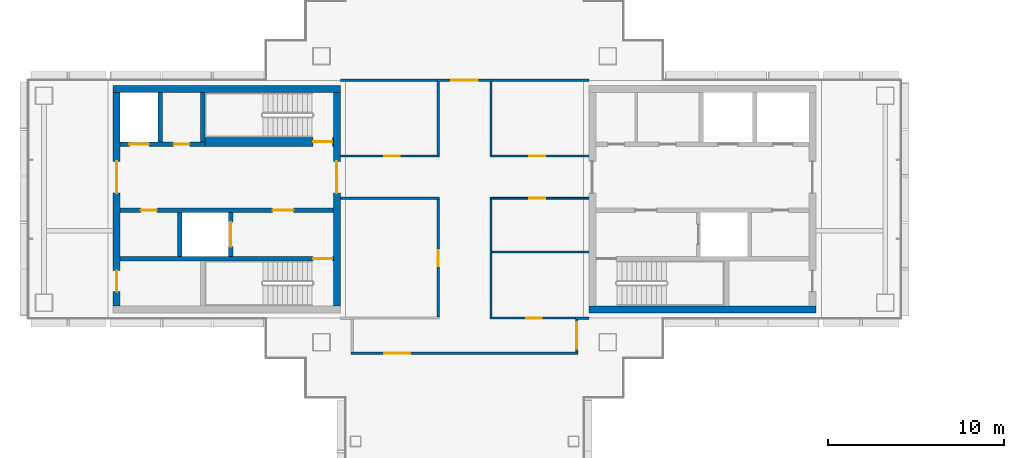
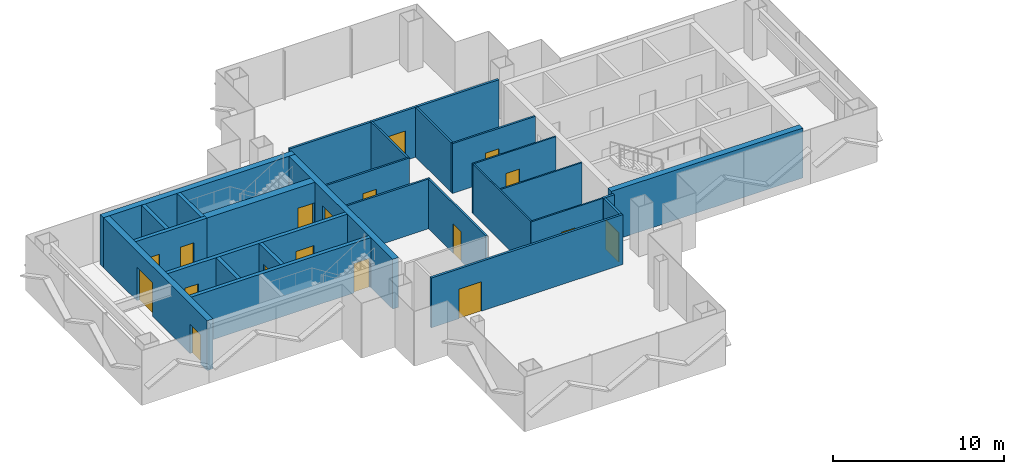
# One storey, part 9 of 17: 28 walls, 18 doors, 18 openings.
"""IFC4 building model written with IfcOpenShell, lengths in metres."""

from ifc_helpers import new_model, si_unit, direction, frame, frame_2d, origin, place, context, subcontext, project, spatial, rectangle, extrude, material, layer, layer_set, type_object, element, fill, save


model = new_model("IFC4")

# Units and contexts
model_context = context("Model", 3, precision=1e-05, world=origin(), true_north=direction((0.0, 1.0)))
body_context = subcontext(model_context, "Body", "Model", "MODEL_VIEW")
ifc_project = project(units=[si_unit("LENGTHUNIT", "METRE"), si_unit("AREAUNIT", "SQUARE_METRE"), si_unit("VOLUMEUNIT", "CUBIC_METRE"), si_unit("PLANEANGLEUNIT", "RADIAN"), si_unit("MASSUNIT", "GRAM", prefix="KILO")], contexts=[model_context])

# Site, building, storey
site_placement = place(None, origin())
site = spatial("IfcSite", under=ifc_project, at=site_placement, CompositionType="ELEMENT")
building_placement = place(site_placement, origin())
building = spatial("IfcBuilding", under=site, at=building_placement, Name="Shamsa Quay Exchange Towers", CompositionType="ELEMENT")
storey_placement = place(building_placement, frame((0.0, 0.0, 198.300048828125)))
storey = spatial("IfcBuildingStorey", under=building, at=storey_placement, Name="L47", CompositionType="ELEMENT", Elevation=198.300048828125)

# Walls
ifc_material_1 = material(Name="Concrete C60/75", Category="concrete")
ifc_layer_1 = layer(ifc_material_1, 0.39990234375)
ifc_layer_set_1 = layer_set([ifc_layer_1], Name="CORE WALL 400 C60/75")
wall_type_1 = type_object("IfcWallType", Name="CORE WALL 400 C60/75", PredefinedType="SHEAR", material=ifc_layer_set_1)
wall_1_placement = place(storey_placement, frame((-26.699951171875, -6.25, 0.0)))
element("IfcWall", 1, at=wall_1_placement, inside=storey, type_object=wall_type_1, Name="Core wall T1A-R21-PS", PredefinedType="SHEAR", context=body_context, shape_type="SweptSolid", body=[
    extrude(rectangle(XDim=12.89990234375, YDim=0.39990234375, at=frame_2d((6.449951171875, 0.0))), origin(), (0.0, 0.0, 1.0), 3.550048828125),
])
wall_2_placement = place(storey_placement, frame((-40.800048828125, 6.25, 0.0), z_axis=(0.0, 0.0, 1.0), x_axis=(-1.0, 0.0, 0.0)))
element("IfcWall", 2, at=wall_2_placement, inside=storey, type_object=wall_type_1, Name="Core wall T1B-R21-PN", PredefinedType="SHEAR", context=body_context, shape_type="SweptSolid", body=[
    extrude(rectangle(XDim=12.89990234375, YDim=0.39990234375, at=frame_2d((6.449951171875, 0.0))), origin(), (0.0, 0.0, 1.0), 3.550048828125),
])

# Wall, opening, door
wall_3_placement = place(storey_placement, frame((-41.0, -6.050048828125, 0.0), z_axis=(0.0, 0.0, 1.0), x_axis=(0.0, 1.0, 0.0)))
wall_3 = element("IfcWall", 3, at=wall_3_placement, inside=storey, type_object=wall_type_1, Name="Core wall T1B-R21-PF", PredefinedType="SHEAR", context=body_context, shape_type="SweptSolid", body=[
    extrude(rectangle(XDim=12.10009765625, YDim=0.39990234375, at=frame_2d((6.050048828125, 0.0))), origin(), (0.0, 0.0, 1.0), 3.550048828125),
])
opening_1_placement = place(wall_3_placement, frame((6.39990234375, 0.0, 0.0)))
opening_1 = element("IfcOpeningElement", 4, at=opening_1_placement, cuts=wall_3, Name="Opening T1B-R21-LBD01", PredefinedType="OPENING", context=body_context, shape_type="SweptSolid", body=[
    extrude(rectangle(XDim=1.800048828125, YDim=2.39990234375, at=frame_2d((0.89990234375, 1.199951171875))), frame((0.0, 0.2099609375, 0.0), z_axis=(0.0, -1.0, 0.0), x_axis=(1.0, 0.0, 0.0)), (0.0, 0.0, 1.0), 0.419921875),
])
ifc_material_2 = material(Name="Steel, fire rated", Category="steel")
door_type_1 = type_object("IfcDoorType", Name="LIFT LOBBY DOOR PAIR 1800", OperationType="DOUBLE_DOOR_SINGLE_SWING", PredefinedType="DOOR", material=ifc_material_2)
door_1_placement = place(opening_1_placement, origin())
door_1 = element("IfcDoor", 5, at=door_1_placement, inside=storey, type_object=door_type_1, Name="T1B-R21-LBD01", OperationType="DOUBLE_DOOR_SINGLE_SWING", OverallHeight=2.39990234375, OverallWidth=1.800048828125, PredefinedType="DOOR", context=body_context, shape_type="SweptSolid", body=[
    extrude(rectangle(XDim=1.800048828125, YDim=2.39990234375, at=frame_2d((0.89990234375, 1.199951171875))), frame((0.0, 0.02490234375, 0.0), z_axis=(0.0, -1.0, 0.0), x_axis=(1.0, 0.0, 0.0)), (0.0, 0.0, 1.0), 0.050048828125),
])
fill(opening_1, door_1)

# Wall, openings, doors
wall_4_placement = place(storey_placement, frame((-53.5, -6.050048828125, 0.0), z_axis=(0.0, 0.0, 1.0), x_axis=(0.0, 1.0, 0.0)))
wall_4 = element("IfcWall", 6, at=wall_4_placement, inside=storey, type_object=wall_type_1, Name="Core wall T1B-R21-PB", PredefinedType="SHEAR", context=body_context, shape_type="SweptSolid", body=[
    extrude(rectangle(XDim=12.10009765625, YDim=0.39990234375, at=frame_2d((6.050048828125, 0.0))), origin(), (0.0, 0.0, 1.0), 3.550048828125),
])
opening_2_placement = place(wall_4_placement, frame((0.800048828125, 0.0, 0.0)))
opening_2 = element("IfcOpeningElement", 7, at=opening_2_placement, cuts=wall_4, Name="Opening T1B-R21-RD02", PredefinedType="OPENING", context=body_context, shape_type="SweptSolid", body=[
    extrude(rectangle(XDim=1.199951171875, YDim=2.10009765625, at=frame_2d((0.60009765625, 1.050048828125))), frame((0.0, 0.2099609375, 0.0), z_axis=(0.0, -1.0, 0.0), x_axis=(1.0, 0.0, 0.0)), (0.0, 0.0, 1.0), 0.419921875),
])
opening_3_placement = place(wall_4_placement, frame((6.39990234375, 0.0, 0.0)))
opening_3 = element("IfcOpeningElement", 8, at=opening_3_placement, cuts=wall_4, Name="Opening T1B-R21-LBD03", PredefinedType="OPENING", context=body_context, shape_type="SweptSolid", body=[
    extrude(rectangle(XDim=1.800048828125, YDim=2.39990234375, at=frame_2d((0.89990234375, 1.199951171875))), frame((0.0, 0.2099609375, 0.0), z_axis=(0.0, -1.0, 0.0), x_axis=(1.0, 0.0, 0.0)), (0.0, 0.0, 1.0), 0.419921875),
])
door_2_placement = place(opening_3_placement, origin())
door_2 = element("IfcDoor", 9, at=door_2_placement, inside=storey, type_object=door_type_1, Name="T1B-R21-LBD03", OperationType="DOUBLE_DOOR_SINGLE_SWING", OverallHeight=2.39990234375, OverallWidth=1.800048828125, PredefinedType="DOOR", context=body_context, shape_type="SweptSolid", body=[
    extrude(rectangle(XDim=1.800048828125, YDim=2.39990234375, at=frame_2d((0.89990234375, 1.199951171875))), frame((0.0, 0.02490234375, 0.0), z_axis=(0.0, -1.0, 0.0), x_axis=(1.0, 0.0, 0.0)), (0.0, 0.0, 1.0), 0.050048828125),
])
fill(opening_3, door_2)
door_type_2 = type_object("IfcDoorType", Name="RISER ACCESS DOOR 1200", OperationType="SINGLE_SWING_LEFT", PredefinedType="DOOR", material=ifc_material_2)
door_3_placement = place(opening_2_placement, origin())
door_3 = element("IfcDoor", 10, at=door_3_placement, inside=storey, type_object=door_type_2, Name="T1B-R21-RD02", OperationType="SINGLE_SWING_LEFT", OverallHeight=2.10009765625, OverallWidth=1.199951171875, PredefinedType="DOOR", context=body_context, shape_type="SweptSolid", body=[
    extrude(rectangle(XDim=1.199951171875, YDim=2.10009765625, at=frame_2d((0.60009765625, 1.050048828125))), frame((0.0, 0.02490234375, 0.0), z_axis=(0.0, -1.0, 0.0), x_axis=(1.0, 0.0, 0.0)), (0.0, 0.0, 1.0), 0.050048828125),
])
fill(opening_2, door_3)

# Wall
ifc_material_3 = material(Name="Laminated fire-resisting glass in a metal frame", Category="glass")
ifc_layer_2 = layer(ifc_material_3, 0.125)
ifc_layer_set_2 = layer_set([ifc_layer_2], Name="Glazed partition 125 mm EI 60")
wall_type_2 = type_object("IfcWallType", Name="Glazed partition 125 mm EI 60", PredefinedType="PARTITIONING", material=ifc_layer_set_2)
wall_5_placement = place(storey_placement, frame((-32.25, 6.675048828125, 0.0), z_axis=(0.0, 0.0, 1.0), x_axis=(0.0, -1.0, 0.0)))
element("IfcWall", 11, at=wall_5_placement, inside=storey, type_object=wall_type_2, Name="Partition T1-R21-W01", PredefinedType="PARTITIONING", context=body_context, shape_type="SweptSolid", body=[
    extrude(rectangle(XDim=4.162353515625, YDim=0.125, at=frame_2d((2.0810546875, 0.0))), origin(), (0.0, 0.0, 1.0), 3.550048828125),
])

# Wall, opening, door
wall_6_placement = place(storey_placement, frame((-40.800048828125, 2.4501953125, 0.0)))
wall_6 = element("IfcWall", 12, at=wall_6_placement, inside=storey, type_object=wall_type_2, Name="Partition T1-R21-W02", PredefinedType="PARTITIONING", context=body_context, shape_type="SweptSolid", body=[
    extrude(rectangle(XDim=5.612548828125, YDim=0.125, at=frame_2d((2.80615234375, 0.0))), origin(), (0.0, 0.0, 1.0), 3.550048828125),
])
opening_4_placement = place(wall_6_placement, frame((2.47509765625, 0.0, 0.0)))
opening_4 = element("IfcOpeningElement", 13, at=opening_4_placement, cuts=wall_6, Name="Opening T1-R21-D01", PredefinedType="OPENING", context=body_context, shape_type="SweptSolid", body=[
    extrude(rectangle(XDim=0.89990234375, YDim=2.10009765625, at=frame_2d((0.449951171875, 1.050048828125))), frame((0.0, 0.072509765625, 0.0), z_axis=(0.0, -1.0, 0.0), x_axis=(1.0, 0.0, 0.0)), (0.0, 0.0, 1.0), 0.14501953125),
])
ifc_material_4 = material(Name="Timber door leaf in a metal frame", Category="wood")
door_type_3 = type_object("IfcDoorType", Name="Door 900x2100 FD30S", OperationType="NOTDEFINED", PredefinedType="DOOR", material=ifc_material_4)
door_4_placement = place(opening_4_placement, origin())
door_4 = element("IfcDoor", 14, at=door_4_placement, inside=storey, type_object=door_type_3, Name="Door T1-R21-D01", OperationType="SINGLE_SWING_LEFT", OverallHeight=2.10009765625, OverallWidth=0.89990234375, PredefinedType="DOOR", context=body_context, shape_type="SweptSolid", body=[
    extrude(rectangle(XDim=0.89990234375, YDim=2.10009765625, at=frame_2d((0.449951171875, 1.050048828125))), frame((0.0, 0.02490234375, 0.0), z_axis=(0.0, -1.0, 0.0), x_axis=(1.0, 0.0, 0.0)), (0.0, 0.0, 1.0), 0.050048828125),
])
fill(opening_4, door_4)

wall_7_placement = place(storey_placement, frame((-32.3125, 2.4501953125, 0.0)))
wall_7 = element("IfcWall", 15, at=wall_7_placement, inside=storey, type_object=wall_type_2, Name="Partition T1-R21-W03", PredefinedType="PARTITIONING", context=body_context, shape_type="SweptSolid", body=[
    extrude(rectangle(XDim=5.612548828125, YDim=0.125, at=frame_2d((2.80615234375, 0.0))), origin(), (0.0, 0.0, 1.0), 3.550048828125),
])
opening_5_placement = place(wall_7_placement, frame((2.237548828125, 0.0, 0.0)))
opening_5 = element("IfcOpeningElement", 16, at=opening_5_placement, cuts=wall_7, Name="Opening T1-R21-D06", PredefinedType="OPENING", context=body_context, shape_type="SweptSolid", body=[
    extrude(rectangle(XDim=0.89990234375, YDim=2.10009765625, at=frame_2d((0.449951171875, 1.050048828125))), frame((0.0, 0.072509765625, 0.0), z_axis=(0.0, -1.0, 0.0), x_axis=(1.0, 0.0, 0.0)), (0.0, 0.0, 1.0), 0.14501953125),
])
door_5_placement = place(opening_5_placement, origin())
door_5 = element("IfcDoor", 17, at=door_5_placement, inside=storey, type_object=door_type_3, Name="Door T1-R21-D06", OperationType="SINGLE_SWING_RIGHT", OverallHeight=2.10009765625, OverallWidth=0.89990234375, PredefinedType="DOOR", context=body_context, shape_type="SweptSolid", body=[
    extrude(rectangle(XDim=0.89990234375, YDim=2.10009765625, at=frame_2d((0.449951171875, 1.050048828125))), frame((0.0, 0.02490234375, 0.0), z_axis=(0.0, -1.0, 0.0), x_axis=(1.0, 0.0, 0.0)), (0.0, 0.0, 1.0), 0.050048828125),
])
fill(opening_5, door_5)

wall_8_placement = place(storey_placement, frame((-35.25, -6.6875, 0.0), z_axis=(0.0, 0.0, 1.0), x_axis=(0.0, 1.0, 0.0)))
wall_8 = element("IfcWall", 18, at=wall_8_placement, inside=storey, type_object=wall_type_2, Name="Partition T1-R21-W07", PredefinedType="PARTITIONING", context=body_context, shape_type="SweptSolid", body=[
    extrude(rectangle(XDim=6.6748046875, YDim=0.125, at=frame_2d((3.33740234375, 0.0))), origin(), (0.0, 0.0, 1.0), 3.550048828125),
])
opening_6_placement = place(wall_8_placement, frame((2.887451171875, 0.0, 0.0)))
opening_6 = element("IfcOpeningElement", 19, at=opening_6_placement, cuts=wall_8, Name="Opening T1-R21-D03", PredefinedType="OPENING", context=body_context, shape_type="SweptSolid", body=[
    extrude(rectangle(XDim=0.89990234375, YDim=2.10009765625, at=frame_2d((0.449951171875, 1.050048828125))), frame((0.0, 0.072509765625, 0.0), z_axis=(0.0, -1.0, 0.0), x_axis=(1.0, 0.0, 0.0)), (0.0, 0.0, 1.0), 0.14501953125),
])
door_6_placement = place(opening_6_placement, origin())
door_6 = element("IfcDoor", 20, at=door_6_placement, inside=storey, type_object=door_type_3, Name="Door T1-R21-D03", OperationType="SINGLE_SWING_LEFT", OverallHeight=2.10009765625, OverallWidth=0.89990234375, PredefinedType="DOOR", context=body_context, shape_type="SweptSolid", body=[
    extrude(rectangle(XDim=0.89990234375, YDim=2.10009765625, at=frame_2d((0.449951171875, 1.050048828125))), frame((0.0, 0.02490234375, 0.0), z_axis=(0.0, -1.0, 0.0), x_axis=(1.0, 0.0, 0.0)), (0.0, 0.0, 1.0), 0.050048828125),
])
fill(opening_6, door_6)

# Walls
wall_9_placement = place(storey_placement, frame((-35.25, 2.5126953125, 0.0), z_axis=(0.0, 0.0, 1.0), x_axis=(0.0, 1.0, 0.0)))
element("IfcWall", 21, at=wall_9_placement, inside=storey, type_object=wall_type_2, Name="Partition T1-R21-W08", PredefinedType="PARTITIONING", context=body_context, shape_type="SweptSolid", body=[
    extrude(rectangle(XDim=4.162353515625, YDim=0.125, at=frame_2d((2.0810546875, 0.0))), origin(), (0.0, 0.0, 1.0), 3.550048828125),
])
wall_10_placement = place(storey_placement, frame((-35.1875, 0.0498046875, 0.0), z_axis=(0.0, 0.0, 1.0), x_axis=(-1.0, 0.0, 0.0)))
element("IfcWall", 22, at=wall_10_placement, inside=storey, type_object=wall_type_2, Name="Partition T1-R21-W10", PredefinedType="PARTITIONING", context=body_context, shape_type="SweptSolid", body=[
    extrude(rectangle(XDim=5.612548828125, YDim=0.125, at=frame_2d((2.80615234375, 0.0))), origin(), (0.0, 0.0, 1.0), 3.550048828125),
])
ifc_material_5 = material(Name="Gypsum board partition on metal studs")
ifc_layer_3 = layer(ifc_material_5, 0.10009765625)
ifc_layer_set_3 = layer_set([ifc_layer_3], Name="Partition 100 mm NOT RATED")
wall_type_3 = type_object("IfcWallType", Name="Partition 100 mm NOT RATED", PredefinedType="PARTITIONING", material=ifc_layer_set_3)
wall_11_placement = place(storey_placement, frame((-32.25, -0.000244140625, 0.0), z_axis=(0.0, 0.0, 1.0), x_axis=(0.0, -1.0, 0.0)))
element("IfcWall", 23, at=wall_11_placement, inside=storey, type_object=wall_type_3, Name="Partition T1-R21-W04", PredefinedType="PARTITIONING", context=body_context, shape_type="SweptSolid", body=[
    extrude(rectangle(XDim=6.69970703125, YDim=0.10009765625, at=frame_2d((3.349853515625, 0.0))), origin(), (0.0, 0.0, 1.0), 3.550048828125),
])

# Wall, opening, door
wall_12_placement = place(storey_placement, frame((-32.300048828125, -6.75, 0.0)))
wall_12 = element("IfcWall", 24, at=wall_12_placement, inside=storey, type_object=wall_type_3, Name="Partition T1-R21-W05", PredefinedType="PARTITIONING", context=body_context, shape_type="SweptSolid", body=[
    extrude(rectangle(XDim=5.0, YDim=0.10009765625, at=frame_2d((2.5, 0.0))), origin(), (0.0, 0.0, 1.0), 3.550048828125),
])
opening_7_placement = place(wall_12_placement, frame((2.03759765625, 0.0, 0.0)))
opening_7 = element("IfcOpeningElement", 25, at=opening_7_placement, cuts=wall_12, Name="Opening T1-R21-D05", PredefinedType="OPENING", context=body_context, shape_type="SweptSolid", body=[
    extrude(rectangle(XDim=0.89990234375, YDim=2.10009765625, at=frame_2d((0.449951171875, 1.050048828125))), frame((0.0, 0.06005859375, 0.0), z_axis=(0.0, -1.0, 0.0), x_axis=(1.0, 0.0, 0.0)), (0.0, 0.0, 1.0), 0.1201171875),
])
door_type_4 = type_object("IfcDoorType", Name="Door 900x2100 NOT RATED", OperationType="NOTDEFINED", PredefinedType="DOOR", material=ifc_material_4)
door_7_placement = place(opening_7_placement, origin())
door_7 = element("IfcDoor", 26, at=door_7_placement, inside=storey, type_object=door_type_4, Name="Door T1-R21-D05", OperationType="SINGLE_SWING_LEFT", OverallHeight=2.10009765625, OverallWidth=0.89990234375, PredefinedType="DOOR", context=body_context, shape_type="SweptSolid", body=[
    extrude(rectangle(XDim=0.89990234375, YDim=2.10009765625, at=frame_2d((0.449951171875, 1.050048828125))), frame((0.0, 0.02490234375, 0.0), z_axis=(0.0, -1.0, 0.0), x_axis=(1.0, 0.0, 0.0)), (0.0, 0.0, 1.0), 0.050048828125),
])
fill(opening_7, door_7)

wall_13_placement = place(storey_placement, frame((-26.699951171875, 0.0498046875, 0.0), z_axis=(0.0, 0.0, 1.0), x_axis=(-1.0, 0.0, 0.0)))
wall_13 = element("IfcWall", 27, at=wall_13_placement, inside=storey, type_object=wall_type_3, Name="Partition T1-R21-W06", PredefinedType="PARTITIONING", context=body_context, shape_type="SweptSolid", body=[
    extrude(rectangle(XDim=5.60009765625, YDim=0.10009765625, at=frame_2d((2.800048828125, 0.0))), origin(), (0.0, 0.0, 1.0), 3.550048828125),
])
opening_8_placement = place(wall_13_placement, frame((2.47509765625, 0.0, 0.0)))
opening_8 = element("IfcOpeningElement", 28, at=opening_8_placement, cuts=wall_13, Name="Opening T1-R21-D08", PredefinedType="OPENING", context=body_context, shape_type="SweptSolid", body=[
    extrude(rectangle(XDim=0.89990234375, YDim=2.10009765625, at=frame_2d((0.449951171875, 1.050048828125))), frame((0.0, 0.06005859375, 0.0), z_axis=(0.0, -1.0, 0.0), x_axis=(1.0, 0.0, 0.0)), (0.0, 0.0, 1.0), 0.1201171875),
])
door_8_placement = place(opening_8_placement, origin())
door_8 = element("IfcDoor", 29, at=door_8_placement, inside=storey, type_object=door_type_4, Name="Door T1-R21-D08", OperationType="SINGLE_SWING_LEFT", OverallHeight=2.10009765625, OverallWidth=0.89990234375, PredefinedType="DOOR", context=body_context, shape_type="SweptSolid", body=[
    extrude(rectangle(XDim=0.89990234375, YDim=2.10009765625, at=frame_2d((0.449951171875, 1.050048828125))), frame((0.0, 0.02490234375, 0.0), z_axis=(0.0, -1.0, 0.0), x_axis=(1.0, 0.0, 0.0)), (0.0, 0.0, 1.0), 0.050048828125),
])
fill(opening_8, door_8)

# Wall
wall_14_placement = place(storey_placement, frame((-26.699951171875, -3.0, 0.0), z_axis=(0.0, 0.0, 1.0), x_axis=(-1.0, 0.0, 0.0)))
element("IfcWall", 30, at=wall_14_placement, inside=storey, type_object=wall_type_3, Name="Partition T1-R21-W17", PredefinedType="PARTITIONING", context=body_context, shape_type="SweptSolid", body=[
    extrude(rectangle(XDim=5.5, YDim=0.10009765625, at=frame_2d((2.75, 0.0))), origin(), (0.0, 0.0, 1.0), 3.550048828125),
])

# Wall, opening, door
ifc_layer_4 = layer(ifc_material_5, 0.14990234375)
ifc_layer_set_4 = layer_set([ifc_layer_4], Name="Partition 150 mm EI 60")
wall_type_4 = type_object("IfcWallType", Name="Partition 150 mm EI 60", PredefinedType="PARTITIONING", material=ifc_layer_set_4)
wall_15_placement = place(storey_placement, frame((-35.3125, 6.75, 0.0)))
wall_15 = element("IfcWall", 31, at=wall_15_placement, inside=storey, type_object=wall_type_4, Name="Partition T1-R21-W11", PredefinedType="PARTITIONING", context=body_context, shape_type="SweptSolid", body=[
    extrude(rectangle(XDim=3.125, YDim=0.14990234375, at=frame_2d((1.5625, 0.0))), origin(), (0.0, 0.0, 1.0), 3.550048828125),
])
opening_9_placement = place(wall_15_placement, frame((0.8125, 0.0, 0.0)))
opening_9 = element("IfcOpeningElement", 32, at=opening_9_placement, cuts=wall_15, Name="Opening T1-R21-D04", PredefinedType="OPENING", context=body_context, shape_type="SweptSolid", body=[
    extrude(rectangle(XDim=1.5, YDim=2.10009765625, at=frame_2d((0.75, 1.050048828125))), frame((0.0, 0.0849609375, 0.0), z_axis=(0.0, -1.0, 0.0), x_axis=(1.0, 0.0, 0.0)), (0.0, 0.0, 1.0), 0.169921875),
])
door_type_5 = type_object("IfcDoorType", Name="Door 1500x2100 FD30S pair", OperationType="NOTDEFINED", PredefinedType="DOOR", material=ifc_material_4)
door_9_placement = place(opening_9_placement, origin())
door_9 = element("IfcDoor", 33, at=door_9_placement, inside=storey, type_object=door_type_5, Name="Door T1-R21-D04", OperationType="DOUBLE_DOOR_SINGLE_SWING", OverallHeight=2.10009765625, OverallWidth=1.5, PredefinedType="DOOR", context=body_context, shape_type="SweptSolid", body=[
    extrude(rectangle(XDim=1.5, YDim=2.10009765625, at=frame_2d((0.75, 1.050048828125))), frame((0.0, 0.02490234375, 0.0), z_axis=(0.0, -1.0, 0.0), x_axis=(1.0, 0.0, 0.0)), (0.0, 0.0, 1.0), 0.050048828125),
])
fill(opening_9, door_9)

wall_16_placement = place(storey_placement, frame((-27.375, -8.675048828125, 0.0), z_axis=(0.0, 0.0, 1.0), x_axis=(0.0, 1.0, 0.0)))
wall_16 = element("IfcWall", 34, at=wall_16_placement, inside=storey, type_object=wall_type_4, Name="Partition T1-R21-W12", PredefinedType="PARTITIONING", context=body_context, shape_type="SweptSolid", body=[
    extrude(rectangle(XDim=1.85009765625, YDim=0.14990234375, at=frame_2d((0.925048828125, 0.0))), origin(), (0.0, 0.0, 1.0), 3.550048828125),
])
opening_10_placement = place(wall_16_placement, frame((0.175048828125, 0.0, 0.0)))
opening_10 = element("IfcOpeningElement", 35, at=opening_10_placement, cuts=wall_16, Name="Opening T1-R21-D07", PredefinedType="OPENING", context=body_context, shape_type="SweptSolid", body=[
    extrude(rectangle(XDim=1.5, YDim=2.10009765625, at=frame_2d((0.75, 1.050048828125))), frame((0.0, 0.0849609375, 0.0), z_axis=(0.0, -1.0, 0.0), x_axis=(1.0, 0.0, 0.0)), (0.0, 0.0, 1.0), 0.169921875),
])
door_10_placement = place(opening_10_placement, origin())
door_10 = element("IfcDoor", 36, at=door_10_placement, inside=storey, type_object=door_type_5, Name="Door T1-R21-D07", OperationType="DOUBLE_DOOR_SINGLE_SWING", OverallHeight=2.10009765625, OverallWidth=1.5, PredefinedType="DOOR", context=body_context, shape_type="SweptSolid", body=[
    extrude(rectangle(XDim=1.5, YDim=2.10009765625, at=frame_2d((0.75, 1.050048828125))), frame((0.0, 0.02490234375, 0.0), z_axis=(0.0, -1.0, 0.0), x_axis=(1.0, 0.0, 0.0)), (0.0, 0.0, 1.0), 0.050048828125),
])
fill(opening_10, door_10)

wall_17_placement = place(storey_placement, frame((-40.199951171875, -8.75, 0.0)))
wall_17 = element("IfcWall", 37, at=wall_17_placement, inside=storey, type_object=wall_type_4, Name="Partition T1-R21-W13", PredefinedType="PARTITIONING", context=body_context, shape_type="SweptSolid", body=[
    extrude(rectangle(XDim=12.89990234375, YDim=0.14990234375, at=frame_2d((6.449951171875, 0.0))), origin(), (0.0, 0.0, 1.0), 3.550048828125),
])
opening_11_placement = place(wall_17_placement, frame((1.875, 0.0, 0.0)))
opening_11 = element("IfcOpeningElement", 38, at=opening_11_placement, cuts=wall_17, Name="Opening T1-R21-D02", PredefinedType="OPENING", context=body_context, shape_type="SweptSolid", body=[
    extrude(rectangle(XDim=1.5, YDim=2.10009765625, at=frame_2d((0.75, 1.050048828125))), frame((0.0, 0.0849609375, 0.0), z_axis=(0.0, -1.0, 0.0), x_axis=(1.0, 0.0, 0.0)), (0.0, 0.0, 1.0), 0.169921875),
])
door_11_placement = place(opening_11_placement, origin())
door_11 = element("IfcDoor", 39, at=door_11_placement, inside=storey, type_object=door_type_5, Name="Door T1-R21-D02", OperationType="DOUBLE_DOOR_SINGLE_SWING", OverallHeight=2.10009765625, OverallWidth=1.5, PredefinedType="DOOR", context=body_context, shape_type="SweptSolid", body=[
    extrude(rectangle(XDim=1.5, YDim=2.10009765625, at=frame_2d((0.75, 1.050048828125))), frame((0.0, 0.02490234375, 0.0), z_axis=(0.0, -1.0, 0.0), x_axis=(1.0, 0.0, 0.0)), (0.0, 0.0, 1.0), 0.050048828125),
])
fill(opening_11, door_11)

# Walls
for number, where, z_axis, x_axis, name in (
    (40, (-26.699951171875, 6.75, 0.0), (0.0, 0.0, 1.0), (-1.0, 0.0, 0.0), "Partition T1-R21-W15"),
    (41, (-35.1875, 6.75, 0.0), (0.0, 0.0, 1.0), (-1.0, 0.0, 0.0), "Partition T1-R21-W16"),
):
    element("IfcWall", number, at=place(storey_placement, frame(where, z_axis=z_axis, x_axis=x_axis)), inside=storey, type_object=wall_type_4, Name=name, PredefinedType="PARTITIONING", context=body_context, shape_type="SweptSolid", body=[
        extrude(rectangle(XDim=5.612548828125, YDim=0.14990234375, at=frame_2d((2.80615234375, 0.0))), origin(), (0.0, 0.0, 1.0), 3.550048828125),
    ])
wall_18_placement = place(storey_placement, frame((-27.449951171875, -6.75, 0.0)))
element("IfcWall", 42, at=wall_18_placement, inside=storey, type_object=wall_type_4, Name="Partition T1-R21-W19", PredefinedType="PARTITIONING", context=body_context, shape_type="SweptSolid", body=[
    extrude(rectangle(XDim=0.75, YDim=0.14990234375, at=frame_2d((0.375, 0.0))), origin(), (0.0, 0.0, 1.0), 3.550048828125),
])

# Wall, opening, door
ifc_material_6 = material(Name="Concrete C50/60", Category="concrete")
ifc_layer_5 = layer(ifc_material_6, 0.25)
ifc_layer_set_5 = layer_set([ifc_layer_5], Name="SHAFT WALL 250 C50/60")
wall_type_5 = type_object("IfcWallType", Name="SHAFT WALL 250 C50/60", PredefinedType="SHEAR", material=ifc_layer_set_5)
wall_19_placement = place(storey_placement, frame((-41.199951171875, -3.375, 0.0), z_axis=(0.0, 0.0, 1.0), x_axis=(-1.0, 0.0, 0.0)))
wall_19 = element("IfcWall", 43, at=wall_19_placement, inside=storey, type_object=wall_type_5, Name="Shaft wall T1B-R21-STL", PredefinedType="SHEAR", context=body_context, shape_type="SweptSolid", body=[
    extrude(rectangle(XDim=12.10009765625, YDim=0.25, at=frame_2d((6.050048828125, 0.0))), origin(), (0.0, 0.0, 1.0), 3.550048828125),
])
opening_12_placement = place(wall_19_placement, frame((0.050048828125, 0.0, 0.0)))
opening_12 = element("IfcOpeningElement", 44, at=opening_12_placement, cuts=wall_19, Name="Opening T1B-R21-SD04", PredefinedType="OPENING", context=body_context, shape_type="SweptSolid", body=[
    extrude(rectangle(XDim=1.10009765625, YDim=2.10009765625, at=frame_2d((0.550048828125, 1.050048828125))), frame((0.0, 0.135009765625, 0.0), z_axis=(0.0, -1.0, 0.0), x_axis=(1.0, 0.0, 0.0)), (0.0, 0.0, 1.0), 0.27001953125),
])
door_type_6 = type_object("IfcDoorType", Name="STAIR DOOR 1100", OperationType="SINGLE_SWING_LEFT", PredefinedType="DOOR", material=ifc_material_2)
door_12_placement = place(opening_12_placement, origin())
door_12 = element("IfcDoor", 45, at=door_12_placement, inside=storey, type_object=door_type_6, Name="T1B-R21-SD04", OperationType="SINGLE_SWING_LEFT", OverallHeight=2.10009765625, OverallWidth=1.10009765625, PredefinedType="DOOR", context=body_context, shape_type="SweptSolid", body=[
    extrude(rectangle(XDim=1.10009765625, YDim=2.10009765625, at=frame_2d((0.550048828125, 1.050048828125))), frame((0.0, 0.02490234375, 0.0), z_axis=(0.0, -1.0, 0.0), x_axis=(1.0, 0.0, 0.0)), (0.0, 0.0, 1.0), 0.050048828125),
])
fill(opening_12, door_12)

# Wall, openings, doors
wall_20_placement = place(storey_placement, frame((-41.199951171875, -0.625, 0.0), z_axis=(0.0, 0.0, 1.0), x_axis=(-1.0, 0.0, 0.0)))
wall_20 = element("IfcWall", 46, at=wall_20_placement, inside=storey, type_object=wall_type_5, Name="Shaft wall T1B-R21-B", PredefinedType="SHEAR", context=body_context, shape_type="SweptSolid", body=[
    extrude(rectangle(XDim=12.10009765625, YDim=0.25, at=frame_2d((6.050048828125, 0.0))), origin(), (0.0, 0.0, 1.0), 3.550048828125),
])
opening_13_placement = place(wall_20_placement, frame((2.25, 0.0, 0.0)))
opening_13 = element("IfcOpeningElement", 47, at=opening_13_placement, cuts=wall_20, Name="Opening T1B-R21-FD05", PredefinedType="OPENING", context=body_context, shape_type="SweptSolid", body=[
    extrude(rectangle(XDim=1.199951171875, YDim=2.10009765625, at=frame_2d((0.60009765625, 1.050048828125))), frame((0.0, 0.135009765625, 0.0), z_axis=(0.0, -1.0, 0.0), x_axis=(1.0, 0.0, 0.0)), (0.0, 0.0, 1.0), 0.27001953125),
])
opening_14_placement = place(wall_20_placement, frame((10.02490234375, 0.0, 0.0)))
opening_14 = element("IfcOpeningElement", 48, at=opening_14_placement, cuts=wall_20, Name="Opening T1B-R21-SV06", PredefinedType="OPENING", context=body_context, shape_type="SweptSolid", body=[
    extrude(rectangle(XDim=0.89990234375, YDim=2.10009765625, at=frame_2d((0.449951171875, 1.050048828125))), frame((0.0, 0.135009765625, 0.0), z_axis=(0.0, -1.0, 0.0), x_axis=(1.0, 0.0, 0.0)), (0.0, 0.0, 1.0), 0.27001953125),
])
door_type_7 = type_object("IfcDoorType", Name="FIRE SERVICE LOBBY DOOR 1200", OperationType="SINGLE_SWING_LEFT", PredefinedType="DOOR", material=ifc_material_2)
door_13_placement = place(opening_13_placement, origin())
door_13 = element("IfcDoor", 49, at=door_13_placement, inside=storey, type_object=door_type_7, Name="T1B-R21-FD05", OperationType="SINGLE_SWING_LEFT", OverallHeight=2.10009765625, OverallWidth=1.199951171875, PredefinedType="DOOR", context=body_context, shape_type="SweptSolid", body=[
    extrude(rectangle(XDim=1.199951171875, YDim=2.10009765625, at=frame_2d((0.60009765625, 1.050048828125))), frame((0.0, 0.02490234375, 0.0), z_axis=(0.0, -1.0, 0.0), x_axis=(1.0, 0.0, 0.0)), (0.0, 0.0, 1.0), 0.050048828125),
])
fill(opening_13, door_13)
door_type_8 = type_object("IfcDoorType", Name="SERVICE ROOM DOOR 900", OperationType="SINGLE_SWING_LEFT", PredefinedType="DOOR", material=ifc_material_2)
door_14_placement = place(opening_14_placement, origin())
door_14 = element("IfcDoor", 50, at=door_14_placement, inside=storey, type_object=door_type_8, Name="T1B-R21-SV06", OperationType="SINGLE_SWING_RIGHT", OverallHeight=2.10009765625, OverallWidth=0.89990234375, PredefinedType="DOOR", context=body_context, shape_type="SweptSolid", body=[
    extrude(rectangle(XDim=0.89990234375, YDim=2.10009765625, at=frame_2d((0.449951171875, 1.050048828125))), frame((0.0, 0.02490234375, 0.0), z_axis=(0.0, -1.0, 0.0), x_axis=(1.0, 0.0, 0.0)), (0.0, 0.0, 1.0), 0.050048828125),
])
fill(opening_14, door_14)

# Wall, opening, door
wall_21_placement = place(storey_placement, frame((-47.02490234375, -3.25, 0.0), z_axis=(0.0, 0.0, 1.0), x_axis=(0.0, 1.0, 0.0)))
wall_21 = element("IfcWall", 51, at=wall_21_placement, inside=storey, type_object=wall_type_5, Name="Shaft wall T1B-R21-FFF", PredefinedType="SHEAR", context=body_context, shape_type="SweptSolid", body=[
    extrude(rectangle(XDim=2.5, YDim=0.25, at=frame_2d((1.25, 0.0))), origin(), (0.0, 0.0, 1.0), 3.550048828125),
])
opening_15_placement = place(wall_21_placement, frame((0.550048828125, 0.0, 0.0)))
opening_15 = element("IfcOpeningElement", 52, at=opening_15_placement, cuts=wall_21, Name="Opening T1B-R21-LDG07", PredefinedType="OPENING", context=body_context, shape_type="SweptSolid", body=[
    extrude(rectangle(XDim=1.39990234375, YDim=2.39990234375, at=frame_2d((0.699951171875, 1.199951171875))), frame((0.0, 0.135009765625, 0.0), z_axis=(0.0, -1.0, 0.0), x_axis=(1.0, 0.0, 0.0)), (0.0, 0.0, 1.0), 0.27001953125),
])
door_type_9 = type_object("IfcDoorType", Name="GOODS LIFT LANDING DOOR 1400", OperationType="SLIDING_TO_LEFT", PredefinedType="DOOR", material=ifc_material_2)
door_15_placement = place(opening_15_placement, origin())
door_15 = element("IfcDoor", 53, at=door_15_placement, inside=storey, type_object=door_type_9, Name="T1B-R21-LDG07", OperationType="SLIDING_TO_LEFT", OverallHeight=2.39990234375, OverallWidth=1.39990234375, PredefinedType="DOOR", context=body_context, shape_type="SweptSolid", body=[
    extrude(rectangle(XDim=1.39990234375, YDim=2.39990234375, at=frame_2d((0.699951171875, 1.199951171875))), frame((0.0, 0.02490234375, 0.0), z_axis=(0.0, -1.0, 0.0), x_axis=(1.0, 0.0, 0.0)), (0.0, 0.0, 1.0), 0.050048828125),
])
fill(opening_15, door_15)

# Wall
wall_22_placement = place(storey_placement, frame((-49.925048828125, -3.25, 0.0), z_axis=(0.0, 0.0, 1.0), x_axis=(0.0, 1.0, 0.0)))
element("IfcWall", 54, at=wall_22_placement, inside=storey, type_object=wall_type_5, Name="Shaft wall T1B-R21-FFB", PredefinedType="SHEAR", context=body_context, shape_type="SweptSolid", body=[
    extrude(rectangle(XDim=2.5, YDim=0.25, at=frame_2d((1.25, 0.0))), origin(), (0.0, 0.0, 1.0), 3.550048828125),
])

# Wall, openings, doors
wall_23_placement = place(storey_placement, frame((-53.300048828125, 3.125, 0.0)))
wall_23 = element("IfcWall", 55, at=wall_23_placement, inside=storey, type_object=wall_type_5, Name="Shaft wall T1B-R21-N2", PredefinedType="SHEAR", context=body_context, shape_type="SweptSolid", body=[
    extrude(rectangle(XDim=4.800048828125, YDim=0.25, at=frame_2d((2.39990234375, 0.0))), origin(), (0.0, 0.0, 1.0), 3.550048828125),
])
opening_16_placement = place(wall_23_placement, frame((0.52490234375, 0.0, 0.0)))
opening_16 = element("IfcOpeningElement", 56, at=opening_16_placement, cuts=wall_23, Name="Opening T1B-R21-LD09", PredefinedType="OPENING", context=body_context, shape_type="SweptSolid", body=[
    extrude(rectangle(XDim=1.10009765625, YDim=2.10009765625, at=frame_2d((0.550048828125, 1.050048828125))), frame((0.0, 0.135009765625, 0.0), z_axis=(0.0, -1.0, 0.0), x_axis=(1.0, 0.0, 0.0)), (0.0, 0.0, 1.0), 0.27001953125),
])
opening_17_placement = place(wall_23_placement, frame((3.02490234375, 0.0, 0.0)))
opening_17 = element("IfcOpeningElement", 57, at=opening_17_placement, cuts=wall_23, Name="Opening T1B-R21-SV10", PredefinedType="OPENING", context=body_context, shape_type="SweptSolid", body=[
    extrude(rectangle(XDim=0.89990234375, YDim=2.10009765625, at=frame_2d((0.449951171875, 1.050048828125))), frame((0.0, 0.135009765625, 0.0), z_axis=(0.0, -1.0, 0.0), x_axis=(1.0, 0.0, 0.0)), (0.0, 0.0, 1.0), 0.27001953125),
])
door_type_10 = type_object("IfcDoorType", Name="LANDING DOOR 1100", OperationType="SLIDING_TO_LEFT", PredefinedType="DOOR", material=ifc_material_2)
door_16_placement = place(opening_16_placement, origin())
door_16 = element("IfcDoor", 58, at=door_16_placement, inside=storey, type_object=door_type_10, Name="T1B-R21-LD09", OperationType="SLIDING_TO_LEFT", OverallHeight=2.10009765625, OverallWidth=1.10009765625, PredefinedType="DOOR", context=body_context, shape_type="SweptSolid", body=[
    extrude(rectangle(XDim=1.10009765625, YDim=2.10009765625, at=frame_2d((0.550048828125, 1.050048828125))), frame((0.0, 0.02490234375, 0.0), z_axis=(0.0, -1.0, 0.0), x_axis=(1.0, 0.0, 0.0)), (0.0, 0.0, 1.0), 0.050048828125),
])
fill(opening_16, door_16)
door_17_placement = place(opening_17_placement, origin())
door_17 = element("IfcDoor", 59, at=door_17_placement, inside=storey, type_object=door_type_8, Name="T1B-R21-SV10", OperationType="SINGLE_SWING_RIGHT", OverallHeight=2.10009765625, OverallWidth=0.89990234375, PredefinedType="DOOR", context=body_context, shape_type="SweptSolid", body=[
    extrude(rectangle(XDim=0.89990234375, YDim=2.10009765625, at=frame_2d((0.449951171875, 1.050048828125))), frame((0.0, 0.02490234375, 0.0), z_axis=(0.0, -1.0, 0.0), x_axis=(1.0, 0.0, 0.0)), (0.0, 0.0, 1.0), 0.050048828125),
])
fill(opening_17, door_17)

# Walls
for number, where, z_axis, x_axis, name in (
    (60, (-48.625, 3.25, 0.0), (0.0, 0.0, 1.0), (0.0, 1.0, 0.0), "Shaft wall T1B-R21-STF2"),
    (61, (-51.02490234375, 3.25, 0.0), (0.0, 0.0, 1.0), (0.0, 1.0, 0.0), "Shaft wall T1B-R21-D0"),
):
    element("IfcWall", number, at=place(storey_placement, frame(where, z_axis=z_axis, x_axis=x_axis)), inside=storey, type_object=wall_type_5, Name=name, PredefinedType="SHEAR", context=body_context, shape_type="SweptSolid", body=[
        extrude(rectangle(XDim=2.800048828125, YDim=0.25, at=frame_2d((1.39990234375, 0.0))), origin(), (0.0, 0.0, 1.0), 3.550048828125),
    ])

# Wall, opening, door
ifc_layer_6 = layer(ifc_material_6, 0.5)
ifc_layer_set_6 = layer_set([ifc_layer_6], Name="SHAFT WALL 500 C50/60")
wall_type_6 = type_object("IfcWallType", Name="SHAFT WALL 500 C50/60", PredefinedType="SHEAR", material=ifc_layer_set_6)
wall_24_placement = place(storey_placement, frame((-48.5, 3.25, 0.0)))
wall_24 = element("IfcWall", 62, at=wall_24_placement, inside=storey, type_object=wall_type_6, Name="Shaft wall T1B-R21-N", PredefinedType="SHEAR", context=body_context, shape_type="SweptSolid", body=[
    extrude(rectangle(XDim=7.300048828125, YDim=0.5, at=frame_2d((3.64990234375, 0.0))), origin(), (0.0, 0.0, 1.0), 3.550048828125),
])
opening_18_placement = place(wall_24_placement, frame((6.14990234375, 0.0, 0.0)))
opening_18 = element("IfcOpeningElement", 63, at=opening_18_placement, cuts=wall_24, Name="Opening T1B-R21-SD08", PredefinedType="OPENING", context=body_context, shape_type="SweptSolid", body=[
    extrude(rectangle(XDim=1.10009765625, YDim=2.10009765625, at=frame_2d((0.550048828125, 1.050048828125))), frame((0.0, 0.260009765625, 0.0), z_axis=(0.0, -1.0, 0.0), x_axis=(1.0, 0.0, 0.0)), (0.0, 0.0, 1.0), 0.52001953125),
])
door_18_placement = place(opening_18_placement, origin())
door_18 = element("IfcDoor", 64, at=door_18_placement, inside=storey, type_object=door_type_6, Name="T1B-R21-SD08", OperationType="SINGLE_SWING_RIGHT", OverallHeight=2.10009765625, OverallWidth=1.10009765625, PredefinedType="DOOR", context=body_context, shape_type="SweptSolid", body=[
    extrude(rectangle(XDim=1.10009765625, YDim=2.10009765625, at=frame_2d((0.550048828125, 1.050048828125))), frame((0.0, 0.02490234375, 0.0), z_axis=(0.0, -1.0, 0.0), x_axis=(1.0, 0.0, 0.0)), (0.0, 0.0, 1.0), 0.050048828125),
])
fill(opening_18, door_18)

save(model, "model.ifc")
